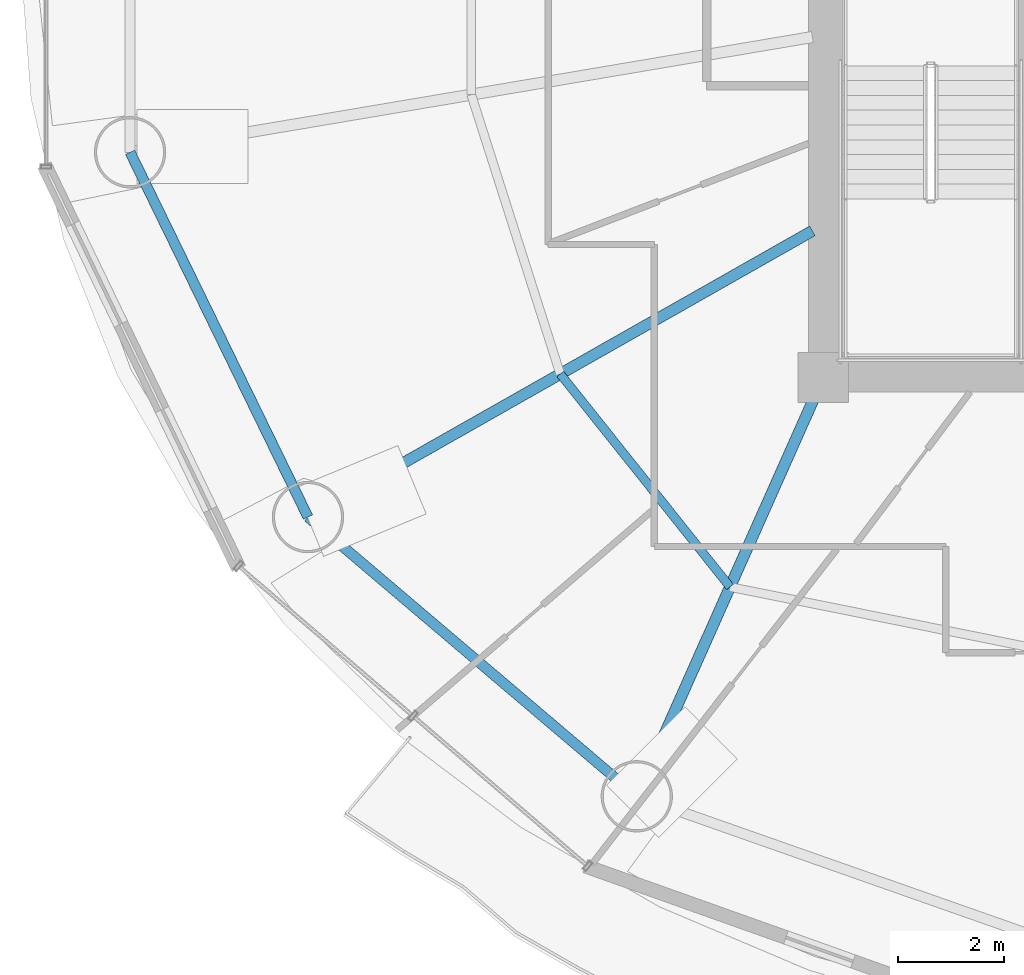
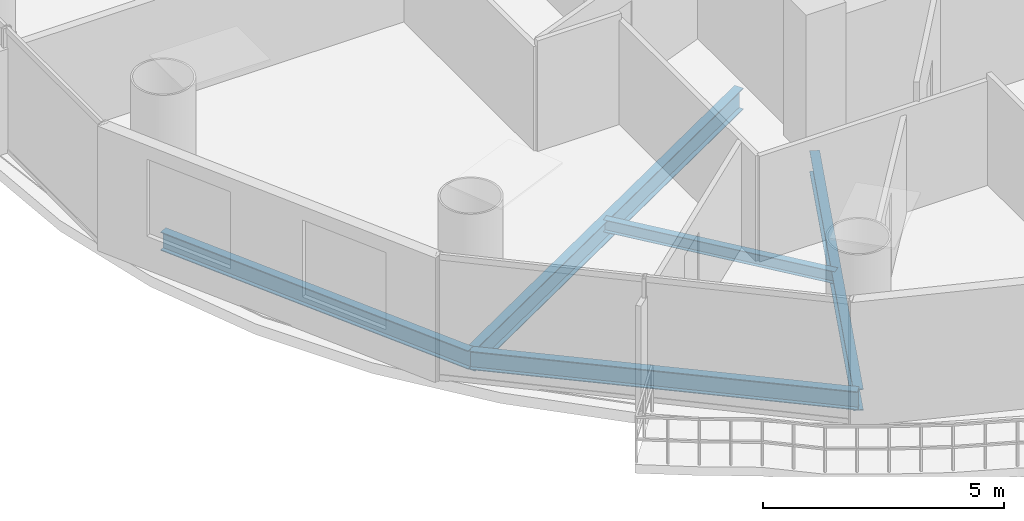
# One storey, part 3 of 26: 5 beams.
"""IFC4 building model written with IfcOpenShell, lengths in metres."""

from ifc_helpers import new_model, si_unit, direction, frame, origin, origin_2d, place, context, subcontext, project, spatial, i_section, extrude, material, material_profile, profile_set, type_object, element, save


model = new_model("IFC4")

# Units and contexts
model_context = context("Model", 3, precision=1e-05, world=origin(), true_north=direction((-0.2419218956, 0.970295726276)))
body_context = subcontext(model_context, "Body", "Model", "MODEL_VIEW")
ifc_project = project(units=[si_unit("LENGTHUNIT", "METRE"), si_unit("AREAUNIT", "SQUARE_METRE"), si_unit("VOLUMEUNIT", "CUBIC_METRE"), si_unit("PLANEANGLEUNIT", "RADIAN"), si_unit("MASSUNIT", "GRAM", prefix="KILO")], contexts=[model_context])

# Site, building, storey
site_placement = place(None, origin())
site = spatial("IfcSite", under=ifc_project, at=site_placement, CompositionType="ELEMENT")
building_placement = place(site_placement, origin())
building = spatial("IfcBuilding", under=site, at=building_placement, Name="Cobrevalo Terracotta Tower", CompositionType="ELEMENT")
storey_placement = place(building_placement, frame((0.0, 0.0, 182.199951171875)))
storey = spatial("IfcBuildingStorey", under=building, at=storey_placement, Name="L48", CompositionType="ELEMENT", Elevation=182.199951171875)

# Beams
ifc_material = material(Name="Steel S355", Category="steel")
ifc_material_profile_1 = material_profile(ifc_material, i_section(OverallWidth=0.2109375, OverallDepth=0.5390625, WebThickness=0.01171875, FlangeThickness=0.018798828125, at=origin_2d()), Name="W 530x109")
ifc_profile_set_1 = profile_set([ifc_material_profile_1], Name="Steel S355")
beam_type_1 = type_object("IfcBeamType", Name="Structural Beam W 530x109 (Steel S355)", PredefinedType="BEAM", material=ifc_profile_set_1)
beam_1_placement = place(storey_placement, frame((19.250244140625, 16.160888671875, -0.53955078125), z_axis=(0.869743726706, 0.493503647257, 0.0), x_axis=(-0.493503647257, 0.869743726706, 0.0)))
element("IfcBeam", 1, at=beam_1_placement, inside=storey, type_object=beam_type_1, Name="L48 radial floor girder 10", PredefinedType="BEAM", context=body_context, shape_type="SweptSolid", body=[
    extrude(i_section(OverallWidth=0.2109375, OverallDepth=0.5390625, WebThickness=0.01171875, FlangeThickness=0.018798828125, at=origin_2d()), origin(), (0.0, 0.0, 1.0), 10.97412109375),
])
beam_2_placement = place(storey_placement, frame((25.471923828125, 10.87744140625, -0.53955078125), z_axis=(0.406804395691, 0.913515289224, 0.0), x_axis=(-0.913515289224, 0.406804395691, 0.0)))
element("IfcBeam", 2, at=beam_2_placement, inside=storey, type_object=beam_type_1, Name="L48 radial floor girder 11", PredefinedType="BEAM", context=body_context, shape_type="SweptSolid", body=[
    extrude(i_section(OverallWidth=0.2109375, OverallDepth=0.5390625, WebThickness=0.01171875, FlangeThickness=0.018798828125, at=origin_2d()), origin(), (0.0, 0.0, 1.0), 8.672607421875),
])
ifc_material_profile_2 = material_profile(ifc_material, i_section(OverallWidth=0.1650390625, OverallDepth=0.31005859375, WebThickness=0.005859375, FlangeThickness=0.009765625, at=origin_2d()), Name="W 310x38.7")
ifc_profile_set_2 = profile_set([ifc_material_profile_2], Name="Steel S355")
beam_type_2 = type_object("IfcBeamType", Name="Structural Joist W 310x38.7 (Steel S355)", PredefinedType="JOIST", material=ifc_profile_set_2)
beam_3_placement = place(storey_placement, frame((24.022705078125, 18.868896484375, -0.425048828125), z_axis=(0.623382939397, -0.781916690492, 0.0), x_axis=(0.781916690492, 0.623382939397, 0.0)))
element("IfcBeam", 3, at=beam_3_placement, inside=storey, type_object=beam_type_2, Name="L48 circumferential secondary floor joist 10", PredefinedType="JOIST", context=body_context, shape_type="SweptSolid", body=[
    extrude(i_section(OverallWidth=0.1650390625, OverallDepth=0.31005859375, WebThickness=0.005859375, FlangeThickness=0.009765625, at=origin_2d()), origin(), (0.0, 0.0, 1.0), 5.154296875),
])
ifc_material_profile_3 = material_profile(ifc_material, i_section(OverallWidth=0.194091796875, OverallDepth=0.468994140625, WebThickness=0.011474609375, FlangeThickness=0.0205078125, at=origin_2d()), Name="W 460x106")
ifc_profile_set_3 = profile_set([ifc_material_profile_3], Name="Steel S355")
beam_type_3 = type_object("IfcBeamType", Name="Structural Spandrel W 460x106 (Steel S355)", PredefinedType="SPANDREL", material=ifc_profile_set_3)
beam_4_placement = place(storey_placement, frame((15.88330078125, 23.06396484375, -0.50439453125), z_axis=(0.438380418332, -0.898789524206, 0.0), x_axis=(0.898789524206, 0.438380418332, 0.0)))
element("IfcBeam", 4, at=beam_4_placement, inside=storey, type_object=beam_type_3, Name="L48 perimeter ring spandrel 09", PredefinedType="SPANDREL", context=body_context, shape_type="SweptSolid", body=[
    extrude(i_section(OverallWidth=0.194091796875, OverallDepth=0.468994140625, WebThickness=0.011474609375, FlangeThickness=0.0205078125, at=origin_2d()), origin(), (0.0, 0.0, 1.0), 7.680419921875),
])
beam_5_placement = place(storey_placement, frame((19.250244140625, 16.160888671875, -0.50439453125), z_axis=(0.762240337798, -0.647294112003, 0.0), x_axis=(0.647294112003, 0.762240337798, 0.0)))
element("IfcBeam", 5, at=beam_5_placement, inside=storey, type_object=beam_type_3, Name="L48 perimeter ring spandrel 10", PredefinedType="SPANDREL", context=body_context, shape_type="SweptSolid", body=[
    extrude(i_section(OverallWidth=0.194091796875, OverallDepth=0.468994140625, WebThickness=0.011474609375, FlangeThickness=0.0205078125, at=origin_2d()), origin(), (0.0, 0.0, 1.0), 8.162353515625),
])

save(model, "model.ifc")
